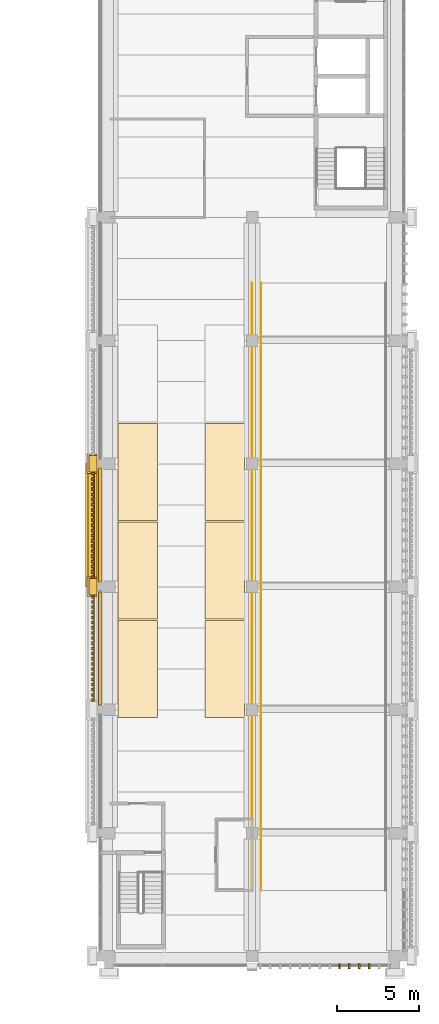
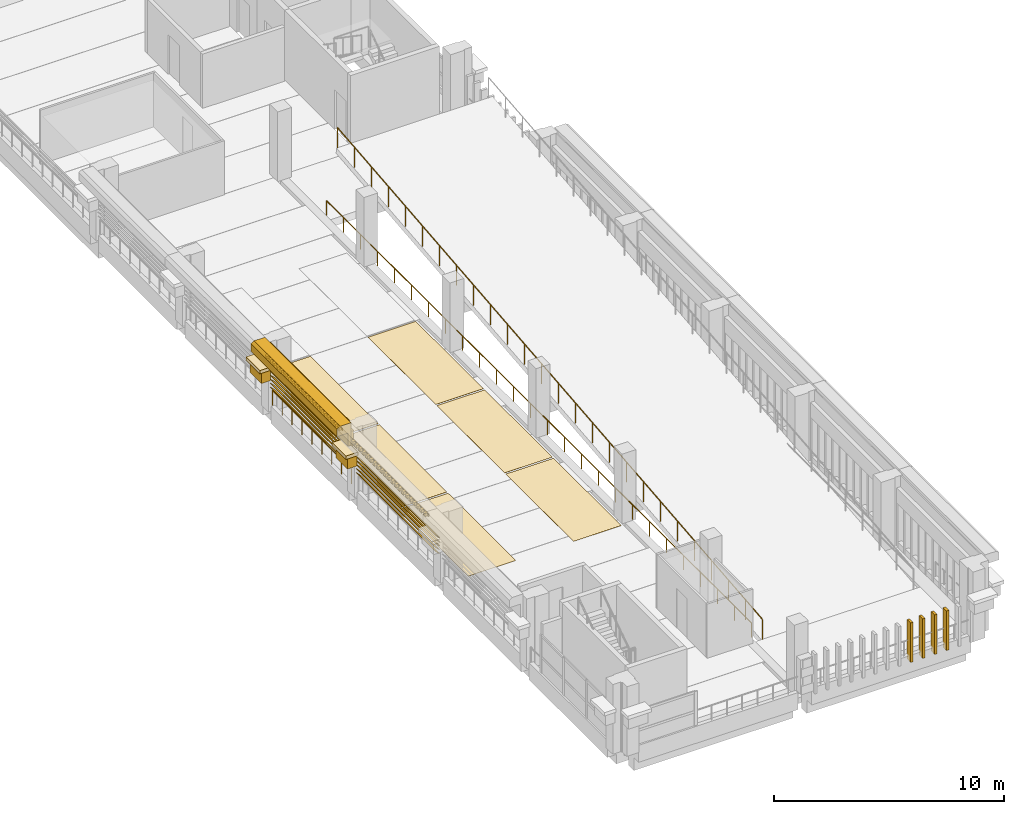
# One storey, part 19 of 25: 18 coverings, 10 shading devices, 3 railings.
"""IFC4 building model written with IfcOpenShell, lengths in metres."""

import ifcopenshell
import ifcopenshell.guid

model = None  # the IFC model being written
_history = None  # IfcOwnerHistory: only IFC2X3 demands one
_inside = {}  # id of a spatial element -> (the spatial element, [elements in it])
_under = {}  # id of a project, library or spatial element -> (it, [spatial elements below it])
_declared = {}  # id of a project -> (the project, [libraries it declares])
_typed = {}  # id of a type object -> (the type object, [elements of that type])
_made_of = {}  # id of a material, layer set ... -> (it, [elements and type objects made of it])


def new_model(schema):
    """Start an empty IFC model of exactly this schema.

    Asked for "IFC4X3", IfcOpenShell would pick the latest addendum, in which some entities
    have other attributes; the version numbers below select the first issue.
    IFC2X3 requires an IfcOwnerHistory on every rooted entity: one is made here for all.
    """
    global model, _history
    if schema == "IFC4X3":
        model = ifcopenshell.file(schema_version=(4, 3, 0, 0))
    else:
        model = ifcopenshell.file(schema=schema)
    _inside.clear()
    _under.clear()
    _declared.clear()
    _typed.clear()
    _made_of.clear()
    _history = None
    if model.schema == "IFC2X3":
        org = make("IfcOrganization", Name="unknown")
        user = make(
            "IfcPersonAndOrganization",
            ThePerson=make("IfcPerson", FamilyName="unknown"),
            TheOrganization=org,
        )
        app = make(
            "IfcApplication",
            ApplicationDeveloper=org,
            Version="unknown",
            ApplicationFullName="unknown",
            ApplicationIdentifier="unknown",
        )
        _history = make(
            "IfcOwnerHistory",
            OwningUser=user,
            OwningApplication=app,
            ChangeAction="ADDED",
            CreationDate=0,
        )
    return model


def make(cls, **values):
    """One entity of the class cls with the attributes given. An attribute that is None is left unset."""
    return model.create_entity(
        cls, **{name: value for name, value in values.items() if value is not None}
    )


def rooted(cls, **values):
    """An entity with a GlobalId (a new one), such as an element, a storey or a relation."""
    return make(cls, GlobalId=ifcopenshell.guid.new(), OwnerHistory=_history, **values)


def si_unit(unit_type, name, prefix=None):
    """IfcSIUnit, for example si_unit("LENGTHUNIT", "METRE", prefix="MILLI")."""
    return make("IfcSIUnit", UnitType=unit_type, Prefix=prefix, Name=name)


def assignment(units):
    """IfcUnitAssignment: the units of a project."""
    return None if units is None else make("IfcUnitAssignment", Units=units)


def point(xyz):
    """IfcCartesianPoint."""
    return None if xyz is None else make("IfcCartesianPoint", Coordinates=xyz)


def direction(xyz):
    """IfcDirection."""
    return None if xyz is None else make("IfcDirection", DirectionRatios=xyz)


def frame(location, z_axis=None, x_axis=None):
    """IfcAxis2Placement3D, a coordinate frame: its origin and axes. An axis left out is left unset."""
    return make(
        "IfcAxis2Placement3D",
        Location=point(location),
        Axis=direction(z_axis),
        RefDirection=direction(x_axis),
    )


def frame_2d(location, x_axis=None):
    """IfcAxis2Placement2D, a coordinate frame in the plane: its origin and x axis."""
    return make(
        "IfcAxis2Placement2D", Location=point(location), RefDirection=direction(x_axis)
    )


def origin():
    """The frame at (0, 0, 0) with its axes left unset."""
    return frame((0.0, 0.0, 0.0))


def origin_2d():
    """The frame at (0, 0) in the plane with its x axis left unset."""
    return frame_2d((0.0, 0.0))


def place(relative_to, where):
    """IfcLocalPlacement: puts the frame where relative to a parent placement (None: the world)."""
    return make(
        "IfcLocalPlacement", PlacementRelTo=relative_to, RelativePlacement=where
    )


def context(
    kind, dimensions, precision=None, world=None, true_north=None, identifier=None
):
    """IfcGeometricRepresentationContext, for example the 3D "Model" context."""
    return make(
        "IfcGeometricRepresentationContext",
        ContextIdentifier=identifier,
        ContextType=kind,
        CoordinateSpaceDimension=dimensions,
        Precision=precision,
        WorldCoordinateSystem=world,
        TrueNorth=true_north,
    )


def subcontext(parent, identifier, kind, view, scale=None):
    """IfcGeometricRepresentationSubContext, for example "Body" below "Model"."""
    return make(
        "IfcGeometricRepresentationSubContext",
        ContextIdentifier=identifier,
        ContextType=kind,
        ParentContext=parent,
        TargetScale=scale,
        TargetView=view,
    )


def project(units=None, contexts=None):
    """IfcProject with its units and contexts."""
    return rooted(
        "IfcProject",
        Name="project",
        RepresentationContexts=contexts,
        UnitsInContext=assignment(units),
    )


def spatial(cls, under=None, at=None, **own):
    """A site, building, storey or space (cls), placed at a placement, below another one or the project."""
    s = rooted(cls, ObjectPlacement=at, **own)
    if under is not None:
        _under.setdefault(under.id(), (under, []))[1].append(s)
    return s


def polyline(points):
    """IfcPolyline through the points."""
    return make("IfcPolyline", Points=[point(p) for p in points])


def profile(cls, at=None, kind="AREA", **sizes):
    """A parametric profile (cls). Its sizes go by their IFC names, for example OverallWidth=200.0."""
    return make(cls, ProfileType=kind, Position=at, **sizes)


def circle(**sizes):
    """IfcCircleProfileDef."""
    return profile("IfcCircleProfileDef", **sizes)


def outline(outer, holes=None, kind="AREA"):
    """IfcArbitraryClosedProfileDef: a profile drawn as a closed curve; with holes, ...WithVoids."""
    if holes is None:
        return make("IfcArbitraryClosedProfileDef", ProfileType=kind, OuterCurve=outer)
    return make(
        "IfcArbitraryProfileDefWithVoids",
        ProfileType=kind,
        OuterCurve=outer,
        InnerCurves=holes,
    )


def extrude(swept, where, along, depth):
    """IfcExtrudedAreaSolid: the profile swept, set in the frame where, extruded along a direction by depth."""
    return make(
        "IfcExtrudedAreaSolid",
        SweptArea=swept,
        Position=where,
        ExtrudedDirection=direction(along),
        Depth=depth,
    )


def shape(context_of_items, identifier, shape_type, items):
    """IfcShapeRepresentation: the items that make up one representation, for example the "Body"."""
    return make(
        "IfcShapeRepresentation",
        ContextOfItems=context_of_items,
        RepresentationIdentifier=identifier,
        RepresentationType=shape_type,
        Items=items,
    )


def material(Name=None, Category=None):
    """IfcMaterial."""
    return make("IfcMaterial", Name=Name, Category=Category)


def layer(
    of_material, thickness, ventilated=None, Name=None, Category=None, Priority=None
):
    """IfcMaterialLayer: one layer of a wall or slab, of a material (None: an air gap)."""
    return make(
        "IfcMaterialLayer",
        Material=of_material,
        LayerThickness=thickness,
        IsVentilated=ventilated,
        Name=Name,
        Category=Category,
        Priority=Priority,
    )


def layer_set(layers, Name=None):
    """IfcMaterialLayerSet."""
    return make("IfcMaterialLayerSet", MaterialLayers=layers, LayerSetName=Name)


def made_of(thing, what):
    """Note that an element or type object is made of a material, layer set ...; save() writes the relation."""
    if what is not None:
        _made_of.setdefault(what.id(), (what, []))[1].append(thing)
    return thing


def type_object(cls, material=None, **own):
    """A type object (cls), such as IfcWallType, which elements share."""
    return made_of(rooted(cls, **own), material)


def element(
    cls,
    number,
    at=None,
    inside=None,
    cuts=None,
    type_object=None,
    material=None,
    context=None,
    identifier="Body",
    shape_type=None,
    held_by="IfcProductDefinitionShape",
    body=None,
    shapes=None,
    **own,
):
    """One element of the class cls, such as IfcWall. Its Tag is "e" and its number.

    at: its placement. inside: the storey or other place that contains it. cuts: it is an
    opening in that element (IfcRelVoidsElement). A single representation is given by context,
    identifier, shape_type and body (its items); several are given by shapes. held_by: the class
    of the entity that holds the representations. save() writes the other relations.
    """
    e = rooted(cls, Tag="e%d" % number, ObjectPlacement=at, **own)
    if body is not None:
        shapes = [shape(context, identifier, shape_type, body)]
    if shapes is not None:
        e.Representation = make(held_by, Representations=shapes)
    if inside is not None:
        _inside.setdefault(inside.id(), (inside, []))[1].append(e)
    if cuts is not None:
        rooted(
            "IfcRelVoidsElement", RelatingBuildingElement=cuts, RelatedOpeningElement=e
        )
    if type_object is not None:
        _typed.setdefault(type_object.id(), (type_object, []))[1].append(e)
    return made_of(e, material)


def aggregate(whole, parts):
    """IfcRelAggregates: a whole, such as a stair, and the parts it consists of."""
    return rooted("IfcRelAggregates", RelatingObject=whole, RelatedObjects=parts)


def save(model, path):
    """Write the relations noted so far, then the file.

    IfcRelAggregates (storeys below a building ...), IfcRelContainedInSpatialStructure (elements
    in a storey), IfcRelDefinesByType, IfcRelAssociatesMaterial and IfcRelDeclares: one each for
    every whole, place, type object, material and project.
    """
    for whole, parts in _under.values():
        aggregate(whole, parts)
    for where, things in _inside.values():
        rooted(
            "IfcRelContainedInSpatialStructure",
            RelatedElements=things,
            RelatingStructure=where,
        )
    for kind, things in _typed.values():
        rooted("IfcRelDefinesByType", RelatedObjects=things, RelatingType=kind)
    for what, things in _made_of.values():
        rooted("IfcRelAssociatesMaterial", RelatedObjects=things, RelatingMaterial=what)
    for by, libraries in _declared.values():
        rooted("IfcRelDeclares", RelatingContext=by, RelatedDefinitions=libraries)
    model.write(path)


model = new_model("IFC4")

# Units and contexts
model_context = context("Model", 3, precision=1e-05, world=origin(), true_north=direction((0.0, 1.0)))
body_context = subcontext(model_context, "Body", "Model", "MODEL_VIEW")
ifc_project = project(units=[si_unit("LENGTHUNIT", "METRE"), si_unit("AREAUNIT", "SQUARE_METRE"), si_unit("VOLUMEUNIT", "CUBIC_METRE"), si_unit("PLANEANGLEUNIT", "RADIAN"), si_unit("MASSUNIT", "GRAM", prefix="KILO")], contexts=[model_context])

# Site, building, storey
site_placement = place(None, origin())
site = spatial("IfcSite", under=ifc_project, at=site_placement, CompositionType="ELEMENT")
building_placement = place(site_placement, origin())
building = spatial("IfcBuilding", under=site, at=building_placement, Name="Cour d'Honneur Mobility Palace", CompositionType="ELEMENT")
storey_placement = place(building_placement, frame((0.0, 0.0, 30.39990234375)))
storey = spatial("IfcBuildingStorey", under=building, at=storey_placement, Name="L08", CompositionType="ELEMENT", Elevation=30.39990234375)

# Railing
ifc_material_1 = material(Name="Painted steel", Category="steel")
railing_type_1 = type_object("IfcRailingType", Name="Balustrade", PredefinedType="BALUSTRADE", material=ifc_material_1)
railing_1_placement = place(storey_placement, frame((144.35009765625, 29.699951171875, 0.300048828125)))
element("IfcRailing", 1, at=railing_1_placement, inside=storey, type_object=railing_type_1, Name="Balustrade BAL-408", PredefinedType="BALUSTRADE", context=body_context, shape_type="SweptSolid", body=[
    extrude(circle(Radius=0.02392578125, at=origin_2d()), frame((0.0, 0.0, 0.77587890625), z_axis=(0.0, -1.0, 0.0), x_axis=(1.0, 0.0, 0.0)), (0.0, 0.0, 1.0), 6.89990234375),
    extrude(circle(Radius=0.02099609375, at=origin_2d()), origin(), (0.0, 0.0, 1.0), 0.751953125),
    extrude(circle(Radius=0.02099609375, at=origin_2d()), frame((0.0, -0.862548828125, 0.0)), (0.0, 0.0, 1.0), 0.751953125),
    extrude(circle(Radius=0.02099609375, at=origin_2d()), frame((0.0, -1.72509765625, 0.0)), (0.0, 0.0, 1.0), 0.751953125),
    extrude(circle(Radius=0.02099609375, at=origin_2d()), frame((0.0, -2.58740234375, 0.0)), (0.0, 0.0, 1.0), 0.751953125),
    extrude(circle(Radius=0.02099609375, at=origin_2d()), frame((0.0, -3.449951171875, 0.0)), (0.0, 0.0, 1.0), 0.751953125),
    extrude(circle(Radius=0.02099609375, at=origin_2d()), frame((0.0, -4.3125, 0.0)), (0.0, 0.0, 1.0), 0.751953125),
    extrude(circle(Radius=0.02099609375, at=origin_2d()), frame((0.0, -5.1748046875, 0.0)), (0.0, 0.0, 1.0), 0.751953125),
    extrude(circle(Radius=0.02099609375, at=origin_2d()), frame((0.0, -6.037353515625, 0.0)), (0.0, 0.0, 1.0), 0.751953125),
    extrude(circle(Radius=0.02099609375, at=origin_2d()), frame((0.0, -6.89990234375, 0.0)), (0.0, 0.0, 1.0), 0.751953125),
])

# Coverings
ifc_material_2 = material(Name="Cast limestone", Category="masonry")
ifc_layer_1 = layer(ifc_material_2, 0.14990234375)
ifc_layer_set_1 = layer_set([ifc_layer_1], Name="Cast limestone")
covering_type_1 = type_object("IfcCoveringType", Name="Dentil course", PredefinedType="CLADDING", material=ifc_layer_set_1)
covering_1_placement = place(storey_placement, frame((0.0, 0.0, 3.150146484375)))
element("IfcCovering", 2, at=covering_1_placement, inside=storey, type_object=covering_type_1, Name="Dentil course DC-140", PredefinedType="CLADDING", context=body_context, shape_type="SweptSolid", body=[
    extrude(outline(polyline([(144.0, 29.550048828125), (144.0, 22.949951171875), (143.969970703125, 22.949951171875), (143.969970703125, 22.949951171875), (143.969970703125, 23.028564453125), (143.85009765625, 23.028564453125), (143.85009765625, 23.185791015625), (143.969970703125, 23.185791015625), (143.969970703125, 23.264404296875), (143.969970703125, 23.264404296875), (143.969970703125, 23.3427734375), (143.85009765625, 23.3427734375), (143.85009765625, 23.5), (143.969970703125, 23.5), (143.969970703125, 23.57861328125), (143.969970703125, 23.57861328125), (143.969970703125, 23.6572265625), (143.85009765625, 23.6572265625), (143.85009765625, 23.814208984375), (143.969970703125, 23.814208984375), (143.969970703125, 23.892822265625), (143.969970703125, 23.892822265625), (143.969970703125, 23.971435546875), (143.85009765625, 23.971435546875), (143.85009765625, 24.128662109375), (143.969970703125, 24.128662109375), (143.969970703125, 24.20703125), (143.969970703125, 24.20703125), (143.969970703125, 24.28564453125), (143.85009765625, 24.28564453125), (143.85009765625, 24.44287109375), (143.969970703125, 24.44287109375), (143.969970703125, 24.521484375), (143.969970703125, 24.521484375), (143.969970703125, 24.60009765625), (143.85009765625, 24.60009765625), (143.85009765625, 24.757080078125), (143.969970703125, 24.757080078125), (143.969970703125, 24.835693359375), (143.969970703125, 24.835693359375), (143.969970703125, 24.914306640625), (143.85009765625, 24.914306640625), (143.85009765625, 25.071533203125), (143.969970703125, 25.071533203125), (143.969970703125, 25.14990234375), (143.969970703125, 25.14990234375), (143.969970703125, 25.228515625), (143.85009765625, 25.228515625), (143.85009765625, 25.3857421875), (143.969970703125, 25.3857421875), (143.969970703125, 25.46435546875), (143.969970703125, 25.46435546875), (143.969970703125, 25.54296875), (143.85009765625, 25.54296875), (143.85009765625, 25.699951171875), (143.969970703125, 25.699951171875), (143.969970703125, 25.778564453125), (143.969970703125, 25.778564453125), (143.969970703125, 25.857177734375), (143.85009765625, 25.857177734375), (143.85009765625, 26.014404296875), (143.969970703125, 26.014404296875), (143.969970703125, 26.0927734375), (143.969970703125, 26.0927734375), (143.969970703125, 26.17138671875), (143.85009765625, 26.17138671875), (143.85009765625, 26.32861328125), (143.969970703125, 26.32861328125), (143.969970703125, 26.4072265625), (143.969970703125, 26.4072265625), (143.969970703125, 26.485595703125), (143.85009765625, 26.485595703125), (143.85009765625, 26.642822265625), (143.969970703125, 26.642822265625), (143.969970703125, 26.721435546875), (143.969970703125, 26.721435546875), (143.969970703125, 26.800048828125), (143.85009765625, 26.800048828125), (143.85009765625, 26.95703125), (143.969970703125, 26.95703125), (143.969970703125, 27.03564453125), (143.969970703125, 27.03564453125), (143.969970703125, 27.1142578125), (143.85009765625, 27.1142578125), (143.85009765625, 27.271484375), (143.969970703125, 27.271484375), (143.969970703125, 27.35009765625), (143.969970703125, 27.35009765625), (143.969970703125, 27.428466796875), (143.85009765625, 27.428466796875), (143.85009765625, 27.585693359375), (143.969970703125, 27.585693359375), (143.969970703125, 27.664306640625), (143.969970703125, 27.664306640625), (143.969970703125, 27.742919921875), (143.85009765625, 27.742919921875), (143.85009765625, 27.89990234375), (143.969970703125, 27.89990234375), (143.969970703125, 27.978515625), (143.969970703125, 27.978515625), (143.969970703125, 28.05712890625), (143.85009765625, 28.05712890625), (143.85009765625, 28.21435546875), (143.969970703125, 28.21435546875), (143.969970703125, 28.29296875), (143.969970703125, 28.29296875), (143.969970703125, 28.371337890625), (143.85009765625, 28.371337890625), (143.85009765625, 28.528564453125), (143.969970703125, 28.528564453125), (143.969970703125, 28.607177734375), (143.969970703125, 28.607177734375), (143.969970703125, 28.685791015625), (143.85009765625, 28.685791015625), (143.85009765625, 28.8427734375), (143.969970703125, 28.8427734375), (143.969970703125, 28.92138671875), (143.969970703125, 28.92138671875), (143.969970703125, 29.0), (143.85009765625, 29.0), (143.85009765625, 29.1572265625), (143.969970703125, 29.1572265625), (143.969970703125, 29.235595703125), (143.969970703125, 29.235595703125), (143.969970703125, 29.314208984375), (143.85009765625, 29.314208984375), (143.85009765625, 29.471435546875), (143.969970703125, 29.471435546875), (143.969970703125, 29.550048828125), (144.0, 29.550048828125)])), origin(), (0.0, 0.0, 1.0), 0.14990234375),
])
covering_2_placement = place(storey_placement, frame((0.0, 0.0, 3.150146484375)))
element("IfcCovering", 3, at=covering_2_placement, inside=storey, type_object=covering_type_1, Name="Dentil course DC-141", PredefinedType="CLADDING", context=body_context, shape_type="SweptSolid", body=[
    extrude(outline(polyline([(144.0, 22.050048828125), (144.0, 15.449951171875), (143.969970703125, 15.449951171875), (143.969970703125, 15.449951171875), (143.969970703125, 15.528564453125), (143.85009765625, 15.528564453125), (143.85009765625, 15.685791015625), (143.969970703125, 15.685791015625), (143.969970703125, 15.764404296875), (143.969970703125, 15.764404296875), (143.969970703125, 15.8427734375), (143.85009765625, 15.8427734375), (143.85009765625, 16.0), (143.969970703125, 16.0), (143.969970703125, 16.07861328125), (143.969970703125, 16.07861328125), (143.969970703125, 16.1572265625), (143.85009765625, 16.1572265625), (143.85009765625, 16.314208984375), (143.969970703125, 16.314208984375), (143.969970703125, 16.392822265625), (143.969970703125, 16.392822265625), (143.969970703125, 16.471435546875), (143.85009765625, 16.471435546875), (143.85009765625, 16.628662109375), (143.969970703125, 16.628662109375), (143.969970703125, 16.70703125), (143.969970703125, 16.70703125), (143.969970703125, 16.78564453125), (143.85009765625, 16.78564453125), (143.85009765625, 16.94287109375), (143.969970703125, 16.94287109375), (143.969970703125, 17.021484375), (143.969970703125, 17.021484375), (143.969970703125, 17.10009765625), (143.85009765625, 17.10009765625), (143.85009765625, 17.257080078125), (143.969970703125, 17.257080078125), (143.969970703125, 17.335693359375), (143.969970703125, 17.335693359375), (143.969970703125, 17.414306640625), (143.85009765625, 17.414306640625), (143.85009765625, 17.571533203125), (143.969970703125, 17.571533203125), (143.969970703125, 17.64990234375), (143.969970703125, 17.64990234375), (143.969970703125, 17.728515625), (143.85009765625, 17.728515625), (143.85009765625, 17.8857421875), (143.969970703125, 17.8857421875), (143.969970703125, 17.96435546875), (143.969970703125, 17.96435546875), (143.969970703125, 18.04296875), (143.85009765625, 18.04296875), (143.85009765625, 18.199951171875), (143.969970703125, 18.199951171875), (143.969970703125, 18.278564453125), (143.969970703125, 18.278564453125), (143.969970703125, 18.357177734375), (143.85009765625, 18.357177734375), (143.85009765625, 18.514404296875), (143.969970703125, 18.514404296875), (143.969970703125, 18.5927734375), (143.969970703125, 18.5927734375), (143.969970703125, 18.67138671875), (143.85009765625, 18.67138671875), (143.85009765625, 18.82861328125), (143.969970703125, 18.82861328125), (143.969970703125, 18.9072265625), (143.969970703125, 18.9072265625), (143.969970703125, 18.985595703125), (143.85009765625, 18.985595703125), (143.85009765625, 19.142822265625), (143.969970703125, 19.142822265625), (143.969970703125, 19.221435546875), (143.969970703125, 19.221435546875), (143.969970703125, 19.300048828125), (143.85009765625, 19.300048828125), (143.85009765625, 19.45703125), (143.969970703125, 19.45703125), (143.969970703125, 19.53564453125), (143.969970703125, 19.53564453125), (143.969970703125, 19.6142578125), (143.85009765625, 19.6142578125), (143.85009765625, 19.771484375), (143.969970703125, 19.771484375), (143.969970703125, 19.85009765625), (143.969970703125, 19.85009765625), (143.969970703125, 19.928466796875), (143.85009765625, 19.928466796875), (143.85009765625, 20.085693359375), (143.969970703125, 20.085693359375), (143.969970703125, 20.164306640625), (143.969970703125, 20.164306640625), (143.969970703125, 20.242919921875), (143.85009765625, 20.242919921875), (143.85009765625, 20.39990234375), (143.969970703125, 20.39990234375), (143.969970703125, 20.478515625), (143.969970703125, 20.478515625), (143.969970703125, 20.55712890625), (143.85009765625, 20.55712890625), (143.85009765625, 20.71435546875), (143.969970703125, 20.71435546875), (143.969970703125, 20.79296875), (143.969970703125, 20.79296875), (143.969970703125, 20.871337890625), (143.85009765625, 20.871337890625), (143.85009765625, 21.028564453125), (143.969970703125, 21.028564453125), (143.969970703125, 21.107177734375), (143.969970703125, 21.107177734375), (143.969970703125, 21.185791015625), (143.85009765625, 21.185791015625), (143.85009765625, 21.3427734375), (143.969970703125, 21.3427734375), (143.969970703125, 21.42138671875), (143.969970703125, 21.42138671875), (143.969970703125, 21.5), (143.85009765625, 21.5), (143.85009765625, 21.6572265625), (143.969970703125, 21.6572265625), (143.969970703125, 21.735595703125), (143.969970703125, 21.735595703125), (143.969970703125, 21.814208984375), (143.85009765625, 21.814208984375), (143.85009765625, 21.971435546875), (143.969970703125, 21.971435546875), (143.969970703125, 22.050048828125), (144.0, 22.050048828125)])), origin(), (0.0, 0.0, 1.0), 0.14990234375),
])
ifc_material_3 = material(Name="Cast limestone", Category="masonry")
ifc_layer_2 = layer(ifc_material_3, 0.699951171875)
ifc_layer_set_2 = layer_set([ifc_layer_2], Name="Cast limestone")
covering_type_2 = type_object("IfcCoveringType", Name="Entablature", PredefinedType="CLADDING", material=ifc_layer_set_2)
covering_3_placement = place(storey_placement, frame((144.14990234375, 30.0, 2.60009765625), z_axis=(0.0, 1.0, 0.0), x_axis=(-1.0, 0.0, 0.0)))
element("IfcCovering", 4, at=covering_3_placement, inside=storey, type_object=covering_type_2, Name="Entablature EN-140", PredefinedType="CLADDING", context=body_context, shape_type="SweptSolid", body=[
    extrude(outline(polyline([(0.0, 0.0), (0.14990234375, 0.0), (0.14990234375, 0.699951171875), (0.699951171875, 0.699951171875), (0.699951171875, 1.10009765625), (0.5498046875, 1.199951171875), (0.0, 1.199951171875), (0.0, 0.0)])), origin(), (0.0, 0.0, -1.0), 7.5),
])
ifc_material_4 = material(Name="Parking marking paint")
ifc_layer_3 = layer(ifc_material_4, 0.0048828125)
ifc_layer_set_3 = layer_set([ifc_layer_3], Name="Parking marking paint")
covering_type_3 = type_object("IfcCoveringType", Name="Parking bay marking", PredefinedType="FLOORING", material=ifc_layer_set_3)
covering_4_placement = place(storey_placement, origin())
element("IfcCovering", 5, at=covering_4_placement, inside=storey, type_object=covering_type_3, Name="Parking bay marking L08 1", PredefinedType="FLOORING", context=body_context, shape_type="SweptSolid", body=[
    extrude(outline(polyline([(153.14990234375, 14.550048828125), (150.75, 14.550048828125), (150.75, 20.449951171875), (153.14990234375, 20.449951171875), (153.14990234375, 14.550048828125)])), origin(), (0.0, 0.0, 1.0), 0.005126953125),
])
covering_5_placement = place(storey_placement, origin())
element("IfcCovering", 6, at=covering_5_placement, inside=storey, type_object=covering_type_3, Name="Parking bay marking L08 2", PredefinedType="FLOORING", context=body_context, shape_type="SweptSolid", body=[
    extrude(outline(polyline([(153.14990234375, 20.550048828125), (150.75, 20.550048828125), (150.75, 26.449951171875), (153.14990234375, 26.449951171875), (153.14990234375, 20.550048828125)])), origin(), (0.0, 0.0, 1.0), 0.005126953125),
])
covering_6_placement = place(storey_placement, origin())
element("IfcCovering", 7, at=covering_6_placement, inside=storey, type_object=covering_type_3, Name="Parking bay marking L08 3", PredefinedType="FLOORING", context=body_context, shape_type="SweptSolid", body=[
    extrude(outline(polyline([(153.14990234375, 26.550048828125), (150.75, 26.550048828125), (150.75, 32.449951171875), (153.14990234375, 32.449951171875), (153.14990234375, 26.550048828125)])), origin(), (0.0, 0.0, 1.0), 0.005126953125),
])
covering_7_placement = place(storey_placement, origin())
element("IfcCovering", 8, at=covering_7_placement, inside=storey, type_object=covering_type_3, Name="Parking bay marking L08 5", PredefinedType="FLOORING", context=body_context, shape_type="SweptSolid", body=[
    extrude(outline(polyline([(147.85009765625, 14.550048828125), (145.449951171875, 14.550048828125), (145.449951171875, 20.449951171875), (147.85009765625, 20.449951171875), (147.85009765625, 14.550048828125)])), origin(), (0.0, 0.0, 1.0), 0.005126953125),
])
covering_8_placement = place(storey_placement, origin())
element("IfcCovering", 9, at=covering_8_placement, inside=storey, type_object=covering_type_3, Name="Parking bay marking L08 6", PredefinedType="FLOORING", context=body_context, shape_type="SweptSolid", body=[
    extrude(outline(polyline([(147.85009765625, 20.550048828125), (145.449951171875, 20.550048828125), (145.449951171875, 26.449951171875), (147.85009765625, 26.449951171875), (147.85009765625, 20.550048828125)])), origin(), (0.0, 0.0, 1.0), 0.005126953125),
])
covering_9_placement = place(storey_placement, origin())
element("IfcCovering", 10, at=covering_9_placement, inside=storey, type_object=covering_type_3, Name="Parking bay marking L08 7", PredefinedType="FLOORING", context=body_context, shape_type="SweptSolid", body=[
    extrude(outline(polyline([(147.85009765625, 26.550048828125), (145.449951171875, 26.550048828125), (145.449951171875, 32.449951171875), (147.85009765625, 32.449951171875), (147.85009765625, 26.550048828125)])), origin(), (0.0, 0.0, 1.0), 0.005126953125),
])
ifc_material_5 = material(Name="Cast limestone", Category="masonry")
ifc_layer_4 = layer(ifc_material_5, 0.1201171875)
ifc_layer_set_4 = layer_set([ifc_layer_4], Name="Cast limestone")
covering_type_4 = type_object("IfcCoveringType", Name="Pilaster capital", PredefinedType="CLADDING", material=ifc_layer_set_4)
covering_10_placement = place(storey_placement, frame((0.0, 0.0, 1.800048828125)))
element("IfcCovering", 11, at=covering_10_placement, inside=storey, type_object=covering_type_4, Name="Pilaster capital PK-59", PredefinedType="CLADDING", context=body_context, shape_type="SweptSolid", body=[
    extrude(outline(polyline([(144.14990234375, 30.5), (144.14990234375, 29.5), (143.679931640625, 29.5), (143.679931640625, 30.5), (144.14990234375, 30.5)])), origin(), (0.0, 0.0, 1.0), 0.6201171875),
])
covering_11_placement = place(storey_placement, frame((0.0, 0.0, 2.420166015625)))
element("IfcCovering", 12, at=covering_11_placement, inside=storey, type_object=covering_type_4, Name="Pilaster capital PK-60", PredefinedType="CLADDING", context=body_context, shape_type="SweptSolid", body=[
    extrude(outline(polyline([(144.14990234375, 30.60009765625), (144.14990234375, 29.39990234375), (143.550048828125, 29.39990234375), (143.550048828125, 30.60009765625), (144.14990234375, 30.60009765625)])), origin(), (0.0, 0.0, 1.0), 0.179931640625),
])
covering_12_placement = place(storey_placement, frame((0.0, 0.0, 1.800048828125)))
element("IfcCovering", 13, at=covering_12_placement, inside=storey, type_object=covering_type_4, Name="Pilaster capital PK-61", PredefinedType="CLADDING", context=body_context, shape_type="SweptSolid", body=[
    extrude(outline(polyline([(144.14990234375, 23.0), (144.14990234375, 22.0), (143.679931640625, 22.0), (143.679931640625, 23.0), (144.14990234375, 23.0)])), origin(), (0.0, 0.0, 1.0), 0.6201171875),
])
covering_13_placement = place(storey_placement, frame((0.0, 0.0, 2.420166015625)))
element("IfcCovering", 14, at=covering_13_placement, inside=storey, type_object=covering_type_4, Name="Pilaster capital PK-62", PredefinedType="CLADDING", context=body_context, shape_type="SweptSolid", body=[
    extrude(outline(polyline([(144.14990234375, 23.10009765625), (144.14990234375, 21.89990234375), (143.550048828125, 21.89990234375), (143.550048828125, 23.10009765625), (144.14990234375, 23.10009765625)])), origin(), (0.0, 0.0, 1.0), 0.179931640625),
])

# Railing
ifc_material_6 = material(Name="Painted steel", Category="steel")
railing_type_2 = type_object("IfcRailingType", Name="Ramp guard 1100", PredefinedType="GUARDRAIL", material=ifc_material_6)
railing_2_placement = place(storey_placement, frame((154.14990234375, 4.0, 0.0)))
element("IfcRailing", 15, at=railing_2_placement, inside=storey, type_object=railing_type_2, Name="Ramp guard Ramp East 9", PredefinedType="GUARDRAIL", context=body_context, shape_type="SweptSolid", body=[
    extrude(circle(Radius=0.02490234375, at=origin_2d()), frame((0.0, 0.0, 1.0751953125), z_axis=(0.0, 0.995036670145, 0.099508919531), x_axis=(-1.0, 0.0, 0.0)), (0.0, 0.0, 1.0), 37.1845703125),
    extrude(circle(Radius=0.02099609375, at=origin_2d()), origin(), (0.0, 0.0, 1.0), 1.050048828125),
    extrude(circle(Radius=0.02099609375, at=origin_2d()), frame((0.0, 1.47998046875, 0.14794921875)), (0.0, 0.0, 1.0), 1.050048828125),
    extrude(circle(Radius=0.02099609375, at=origin_2d()), frame((0.0, 2.9599609375, 0.2958984375)), (0.0, 0.0, 1.0), 1.050048828125),
    extrude(circle(Radius=0.02099609375, at=origin_2d()), frame((0.0, 4.43994140625, 0.444091796875)), (0.0, 0.0, 1.0), 1.050048828125),
    extrude(circle(Radius=0.02099609375, at=origin_2d()), frame((0.0, 5.919921875, 0.592041015625)), (0.0, 0.0, 1.0), 1.050048828125),
    extrude(circle(Radius=0.02099609375, at=origin_2d()), frame((0.0, 7.39990234375, 0.739990234375)), (0.0, 0.0, 1.0), 1.050048828125),
    extrude(circle(Radius=0.02099609375, at=origin_2d()), frame((0.0, 8.8798828125, 0.887939453125)), (0.0, 0.0, 1.0), 1.050048828125),
    extrude(circle(Radius=0.02099609375, at=origin_2d()), frame((0.0, 10.360107421875, 1.0361328125)), (0.0, 0.0, 1.0), 1.050048828125),
    extrude(circle(Radius=0.02099609375, at=origin_2d()), frame((0.0, 11.840087890625, 1.18408203125)), (0.0, 0.0, 1.0), 1.050048828125),
    extrude(circle(Radius=0.02099609375, at=origin_2d()), frame((0.0, 13.320068359375, 1.33203125)), (0.0, 0.0, 1.0), 1.050048828125),
    extrude(circle(Radius=0.02099609375, at=origin_2d()), frame((0.0, 14.800048828125, 1.47998046875)), (0.0, 0.0, 1.0), 1.050048828125),
    extrude(circle(Radius=0.02099609375, at=origin_2d()), frame((0.0, 16.280029296875, 1.628173828125)), (0.0, 0.0, 1.0), 1.050048828125),
    extrude(circle(Radius=0.02099609375, at=origin_2d()), frame((0.0, 17.760009765625, 1.776123046875)), (0.0, 0.0, 1.0), 1.050048828125),
    extrude(circle(Radius=0.02099609375, at=origin_2d()), frame((0.0, 19.239990234375, 1.924072265625)), (0.0, 0.0, 1.0), 1.050048828125),
    extrude(circle(Radius=0.02099609375, at=origin_2d()), frame((0.0, 20.719970703125, 2.072021484375)), (0.0, 0.0, 1.0), 1.050048828125),
    extrude(circle(Radius=0.02099609375, at=origin_2d()), frame((0.0, 22.199951171875, 2.22021484375)), (0.0, 0.0, 1.0), 1.050048828125),
    extrude(circle(Radius=0.02099609375, at=origin_2d()), frame((0.0, 23.679931640625, 2.3681640625)), (0.0, 0.0, 1.0), 1.050048828125),
    extrude(circle(Radius=0.02099609375, at=origin_2d()), frame((0.0, 25.159912109375, 2.51611328125)), (0.0, 0.0, 1.0), 1.050048828125),
    extrude(circle(Radius=0.02099609375, at=origin_2d()), frame((0.0, 26.639892578125, 2.6640625)), (0.0, 0.0, 1.0), 1.050048828125),
    extrude(circle(Radius=0.02099609375, at=origin_2d()), frame((0.0, 28.1201171875, 2.812255859375)), (0.0, 0.0, 1.0), 1.050048828125),
    extrude(circle(Radius=0.02099609375, at=origin_2d()), frame((0.0, 29.60009765625, 2.960205078125)), (0.0, 0.0, 1.0), 1.050048828125),
    extrude(circle(Radius=0.02099609375, at=origin_2d()), frame((0.0, 31.080078125, 3.108154296875)), (0.0, 0.0, 1.0), 1.050048828125),
    extrude(circle(Radius=0.02099609375, at=origin_2d()), frame((0.0, 32.56005859375, 3.256103515625)), (0.0, 0.0, 1.0), 1.050048828125),
    extrude(circle(Radius=0.02099609375, at=origin_2d()), frame((0.0, 34.0400390625, 3.404296875)), (0.0, 0.0, 1.0), 1.050048828125),
    extrude(circle(Radius=0.02099609375, at=origin_2d()), frame((0.0, 35.52001953125, 3.55224609375)), (0.0, 0.0, 1.0), 1.050048828125),
    extrude(circle(Radius=0.02099609375, at=origin_2d()), frame((0.0, 37.0, 3.7001953125)), (0.0, 0.0, 1.0), 1.050048828125),
])

# Coverings
ifc_material_7 = material(Name="Cast limestone", Category="masonry")
ifc_layer_5 = layer(ifc_material_7, 0.1201171875)
ifc_layer_set_5 = layer_set([ifc_layer_5], Name="Cast limestone")
covering_type_5 = type_object("IfcCoveringType", Name="Ramp screen fin", PredefinedType="CLADDING", material=ifc_layer_set_5)
covering_14_placement = place(storey_placement, origin())
element("IfcCovering", 16, at=covering_14_placement, inside=storey, type_object=covering_type_5, Name="Ramp screen fin S4.1 L08 9", PredefinedType="CLADDING", context=body_context, shape_type="SweptSolid", body=[
    extrude(outline(polyline([(158.868408203125, -0.449951171875), (158.988525390625, -0.449951171875), (158.988525390625, -0.75), (158.868408203125, -0.75), (158.868408203125, -0.449951171875)])), origin(), (0.0, 0.0, 1.0), 2.10009765625),
])
covering_15_placement = place(storey_placement, origin())
element("IfcCovering", 17, at=covering_15_placement, inside=storey, type_object=covering_type_5, Name="Ramp screen fin S4.1 L08 10", PredefinedType="CLADDING", context=body_context, shape_type="SweptSolid", body=[
    extrude(outline(polyline([(159.470703125, -0.449951171875), (159.5908203125, -0.449951171875), (159.5908203125, -0.75), (159.470703125, -0.75), (159.470703125, -0.449951171875)])), origin(), (0.0, 0.0, 1.0), 2.10009765625),
])
covering_16_placement = place(storey_placement, origin())
element("IfcCovering", 18, at=covering_16_placement, inside=storey, type_object=covering_type_5, Name="Ramp screen fin S4.1 L08 11", PredefinedType="CLADDING", context=body_context, shape_type="SweptSolid", body=[
    extrude(outline(polyline([(160.072998046875, -0.449951171875), (160.193115234375, -0.449951171875), (160.193115234375, -0.75), (160.072998046875, -0.75), (160.072998046875, -0.449951171875)])), origin(), (0.0, 0.0, 1.0), 2.10009765625),
])
covering_17_placement = place(storey_placement, origin())
element("IfcCovering", 19, at=covering_17_placement, inside=storey, type_object=covering_type_5, Name="Ramp screen fin S4.1 L08 12", PredefinedType="CLADDING", context=body_context, shape_type="SweptSolid", body=[
    extrude(outline(polyline([(160.67529296875, -0.449951171875), (160.79541015625, -0.449951171875), (160.79541015625, -0.75), (160.67529296875, -0.75), (160.67529296875, -0.449951171875)])), origin(), (0.0, 0.0, 1.0), 2.10009765625),
])
ifc_material_8 = material(Name="Cast limestone", Category="masonry")
ifc_layer_6 = layer(ifc_material_8, 0.25)
ifc_layer_set_6 = layer_set([ifc_layer_6], Name="Cast limestone")
covering_type_6 = type_object("IfcCoveringType", Name="Spandrel cladding", PredefinedType="CLADDING", material=ifc_layer_set_6)
covering_18_placement = place(storey_placement, frame((144.449951171875, 29.699951171875, 2.300048828125), z_axis=(0.0, 1.0, 0.0), x_axis=(-1.0, 0.0, 0.0)))
element("IfcCovering", 20, at=covering_18_placement, inside=storey, type_object=covering_type_6, Name="Spandrel cladding SK-407", PredefinedType="CLADDING", context=body_context, shape_type="SweptSolid", body=[
    extrude(outline(polyline([(0.0, 0.0), (0.25, 0.0), (0.25, 1.400146484375), (0.199951171875, 1.400146484375), (0.199951171875, 0.800048828125), (0.0, 0.800048828125), (0.0, 0.0)])), origin(), (0.0, 0.0, -1.0), 6.89990234375),
])

# Shading devices
ifc_material_9 = material(Name="Terracotta", Category="masonry")
ifc_layer_7 = layer(ifc_material_9, 0.02490234375)
ifc_layer_set_7 = layer_set([ifc_layer_7], Name="Terracotta")
shading_device_type = type_object("IfcShadingDeviceType", Name="Terracotta louvre blade", PredefinedType="JALOUSIE", material=ifc_layer_set_7)
for number, where, z_axis, x_axis, name in (
    (21, (144.4560546875, 29.699951171875, 1.10009765625), (0.707106781187, 0.0, 0.707106781187), (0.0, -1.0, 0.0), "Louvre blade LV-1 W7.3 L08 1"),
    (22, (144.4560546875, 29.699951171875, 1.312255859375), (0.707106781187, 0.0, 0.707106781187), (0.0, -1.0, 0.0), "Louvre blade LV-1 W7.3 L08 2"),
    (23, (144.4560546875, 29.699951171875, 1.5244140625), (0.707106781187, 0.0, 0.707106781187), (0.0, -1.0, 0.0), "Louvre blade LV-1 W7.3 L08 3"),
    (24, (144.4560546875, 29.699951171875, 1.736572265625), (0.707106781187, 0.0, 0.707106781187), (0.0, -1.0, 0.0), "Louvre blade LV-1 W7.3 L08 4"),
):
    element("IfcShadingDevice", number, at=place(storey_placement, frame(where, z_axis=z_axis, x_axis=x_axis)), inside=storey, type_object=shading_device_type, Name=name, PredefinedType="JALOUSIE", context=body_context, shape_type="SweptSolid", body=[
        extrude(outline(polyline([(0.0, 0.0), (6.89990234375, 0.0), (6.89990234375, -0.300037008228081), (0.0, -0.300037008228081), (0.0, 0.0)])), origin(), (0.0, 0.0, -1.0), 0.02490234375),
    ])
shading_device_1_placement = place(storey_placement, frame((144.4560546875, 29.699951171875, 1.94873046875), z_axis=(0.706699578995, 0.0, 0.707513749017), x_axis=(0.0, -1.0, 0.0)))
element("IfcShadingDevice", 25, at=shading_device_1_placement, inside=storey, type_object=shading_device_type, Name="Louvre blade LV-1 W7.3 L08 5", PredefinedType="JALOUSIE", context=body_context, shape_type="SweptSolid", body=[
    extrude(outline(polyline([(0.0, 0.0), (6.89990234375, 0.0), (6.89990234375, -0.29986442442957895), (0.0, -0.29986442442957895), (0.0, 0.0)])), origin(), (0.0, 0.0, -1.0), 0.02490234375),
])
for number, where, z_axis, x_axis, name in (
    (26, (144.4560546875, 22.199951171875, 1.10009765625), (0.707106781187, 0.0, 0.707106781187), (0.0, -1.0, 0.0), "Louvre blade LV-1 W7.4 L08 1"),
    (27, (144.4560546875, 22.199951171875, 1.312255859375), (0.707106781187, 0.0, 0.707106781187), (0.0, -1.0, 0.0), "Louvre blade LV-1 W7.4 L08 2"),
    (28, (144.4560546875, 22.199951171875, 1.5244140625), (0.707106781187, 0.0, 0.707106781187), (0.0, -1.0, 0.0), "Louvre blade LV-1 W7.4 L08 3"),
    (29, (144.4560546875, 22.199951171875, 1.736572265625), (0.707106781187, 0.0, 0.707106781187), (0.0, -1.0, 0.0), "Louvre blade LV-1 W7.4 L08 4"),
):
    element("IfcShadingDevice", number, at=place(storey_placement, frame(where, z_axis=z_axis, x_axis=x_axis)), inside=storey, type_object=shading_device_type, Name=name, PredefinedType="JALOUSIE", context=body_context, shape_type="SweptSolid", body=[
        extrude(outline(polyline([(0.0, 0.0), (6.89990234375, 0.0), (6.89990234375, -0.300037008228081), (0.0, -0.300037008228081), (0.0, 0.0)])), origin(), (0.0, 0.0, -1.0), 0.02490234375),
    ])
shading_device_2_placement = place(storey_placement, frame((144.4560546875, 22.199951171875, 1.94873046875), z_axis=(0.706699578995, 0.0, 0.707513749017), x_axis=(0.0, -1.0, 0.0)))
element("IfcShadingDevice", 30, at=shading_device_2_placement, inside=storey, type_object=shading_device_type, Name="Louvre blade LV-1 W7.4 L08 5", PredefinedType="JALOUSIE", context=body_context, shape_type="SweptSolid", body=[
    extrude(outline(polyline([(0.0, 0.0), (6.89990234375, 0.0), (6.89990234375, -0.29986442442957895), (0.0, -0.29986442442957895), (0.0, 0.0)])), origin(), (0.0, 0.0, -1.0), 0.02490234375),
])

# Railing
ifc_material_10 = material(Name="Painted steel", Category="steel")
railing_type_3 = type_object("IfcRailingType", Name="Void edge guard 1100", PredefinedType="GUARDRAIL", material=ifc_material_10)
railing_3_placement = place(storey_placement, frame((153.60009765625, 4.0, 0.300048828125)))
element("IfcRailing", 31, at=railing_3_placement, inside=storey, type_object=railing_type_3, Name="Void edge guard SE L08", PredefinedType="GUARDRAIL", context=body_context, shape_type="SweptSolid", body=[
    extrude(circle(Radius=0.02490234375, at=origin_2d()), frame((0.0, 0.0, 0.77490234375), z_axis=(0.0, 1.0, 0.0), x_axis=(-1.0, 0.0, 0.0)), (0.0, 0.0, 1.0), 37.0),
    extrude(circle(Radius=0.02099609375, at=origin_2d()), origin(), (0.0, 0.0, 1.0), 0.75),
    extrude(circle(Radius=0.02099609375, at=origin_2d()), frame((0.0, 1.47998046875, 0.0)), (0.0, 0.0, 1.0), 0.75),
    extrude(circle(Radius=0.02099609375, at=origin_2d()), frame((0.0, 2.9599609375, 0.0)), (0.0, 0.0, 1.0), 0.75),
    extrude(circle(Radius=0.02099609375, at=origin_2d()), frame((0.0, 4.43994140625, 0.0)), (0.0, 0.0, 1.0), 0.75),
    extrude(circle(Radius=0.02099609375, at=origin_2d()), frame((0.0, 5.919921875, 0.0)), (0.0, 0.0, 1.0), 0.75),
    extrude(circle(Radius=0.02099609375, at=origin_2d()), frame((0.0, 7.39990234375, 0.0)), (0.0, 0.0, 1.0), 0.75),
    extrude(circle(Radius=0.02099609375, at=origin_2d()), frame((0.0, 8.8798828125, 0.0)), (0.0, 0.0, 1.0), 0.75),
    extrude(circle(Radius=0.02099609375, at=origin_2d()), frame((0.0, 10.360107421875, 0.0)), (0.0, 0.0, 1.0), 0.75),
    extrude(circle(Radius=0.02099609375, at=origin_2d()), frame((0.0, 11.840087890625, 0.0)), (0.0, 0.0, 1.0), 0.75),
    extrude(circle(Radius=0.02099609375, at=origin_2d()), frame((0.0, 13.320068359375, 0.0)), (0.0, 0.0, 1.0), 0.75),
    extrude(circle(Radius=0.02099609375, at=origin_2d()), frame((0.0, 14.800048828125, 0.0)), (0.0, 0.0, 1.0), 0.75),
    extrude(circle(Radius=0.02099609375, at=origin_2d()), frame((0.0, 16.280029296875, 0.0)), (0.0, 0.0, 1.0), 0.75),
    extrude(circle(Radius=0.02099609375, at=origin_2d()), frame((0.0, 17.760009765625, 0.0)), (0.0, 0.0, 1.0), 0.75),
    extrude(circle(Radius=0.02099609375, at=origin_2d()), frame((0.0, 19.239990234375, 0.0)), (0.0, 0.0, 1.0), 0.75),
    extrude(circle(Radius=0.02099609375, at=origin_2d()), frame((0.0, 20.719970703125, 0.0)), (0.0, 0.0, 1.0), 0.75),
    extrude(circle(Radius=0.02099609375, at=origin_2d()), frame((0.0, 22.199951171875, 0.0)), (0.0, 0.0, 1.0), 0.75),
    extrude(circle(Radius=0.02099609375, at=origin_2d()), frame((0.0, 23.679931640625, 0.0)), (0.0, 0.0, 1.0), 0.75),
    extrude(circle(Radius=0.02099609375, at=origin_2d()), frame((0.0, 25.159912109375, 0.0)), (0.0, 0.0, 1.0), 0.75),
    extrude(circle(Radius=0.02099609375, at=origin_2d()), frame((0.0, 26.639892578125, 0.0)), (0.0, 0.0, 1.0), 0.75),
    extrude(circle(Radius=0.02099609375, at=origin_2d()), frame((0.0, 28.1201171875, 0.0)), (0.0, 0.0, 1.0), 0.75),
    extrude(circle(Radius=0.02099609375, at=origin_2d()), frame((0.0, 29.60009765625, 0.0)), (0.0, 0.0, 1.0), 0.75),
    extrude(circle(Radius=0.02099609375, at=origin_2d()), frame((0.0, 31.080078125, 0.0)), (0.0, 0.0, 1.0), 0.75),
    extrude(circle(Radius=0.02099609375, at=origin_2d()), frame((0.0, 32.56005859375, 0.0)), (0.0, 0.0, 1.0), 0.75),
    extrude(circle(Radius=0.02099609375, at=origin_2d()), frame((0.0, 34.0400390625, 0.0)), (0.0, 0.0, 1.0), 0.75),
    extrude(circle(Radius=0.02099609375, at=origin_2d()), frame((0.0, 35.52001953125, 0.0)), (0.0, 0.0, 1.0), 0.75),
    extrude(circle(Radius=0.02099609375, at=origin_2d()), frame((0.0, 37.0, 0.0)), (0.0, 0.0, 1.0), 0.75),
])

save(model, "model.ifc")
